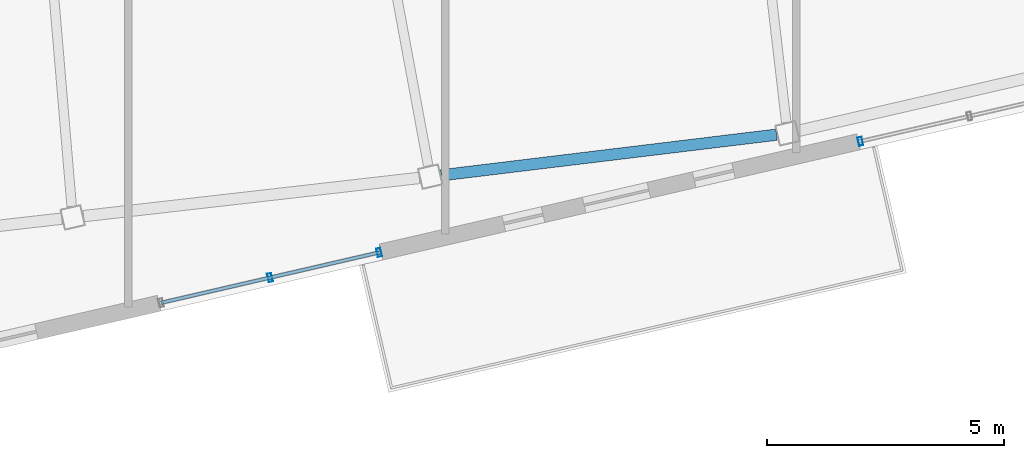
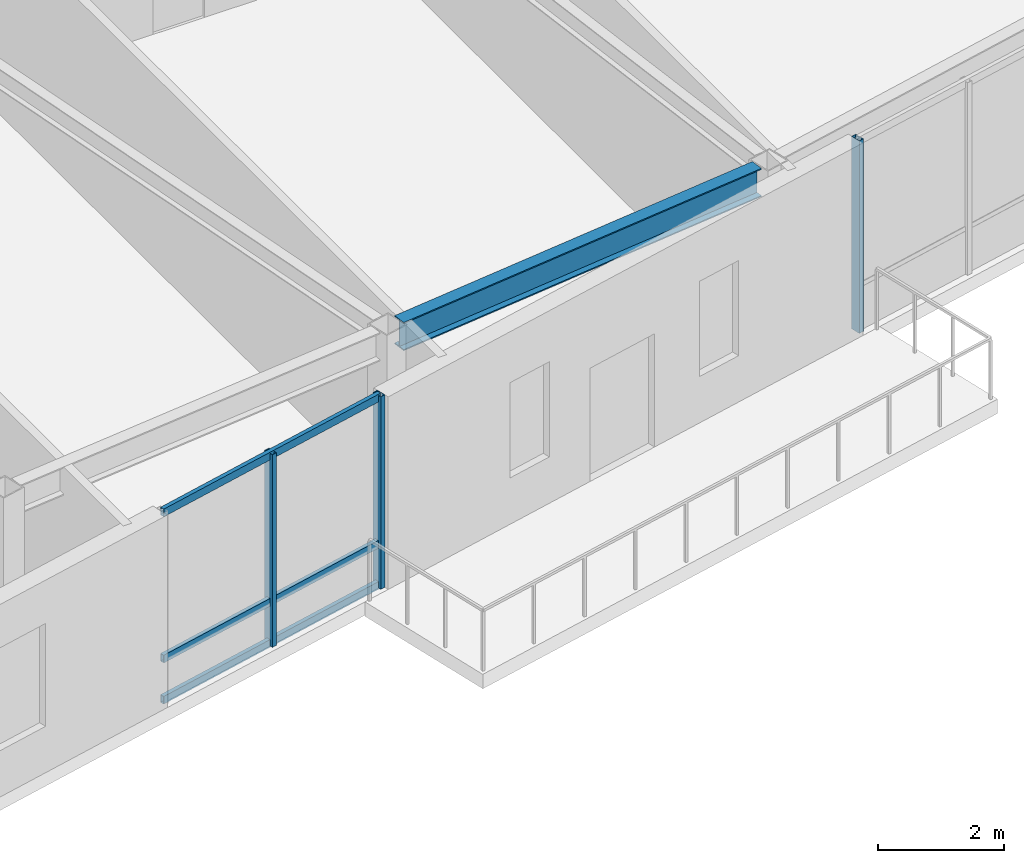
# One storey, part 7 of 24: 6 members, 1 beam, 2 elements without a shape of their own.
"""IFC4 building model written with IfcOpenShell, lengths in metres."""

from ifc_helpers import new_model, si_unit, direction, frame, origin, origin_2d, place, context, subcontext, project, spatial, hollow_rectangle, i_section, extrude, material, layer, layer_set, material_profile, profile_set, type_object, element, aggregate, save


model = new_model("IFC4")

# Units and contexts
model_context = context("Model", 3, precision=1e-05, world=origin(), true_north=direction((0.0, 1.0)))
body_context = subcontext(model_context, "Body", "Model", "MODEL_VIEW")
ifc_project = project(units=[si_unit("LENGTHUNIT", "METRE"), si_unit("AREAUNIT", "SQUARE_METRE"), si_unit("VOLUMEUNIT", "CUBIC_METRE"), si_unit("PLANEANGLEUNIT", "RADIAN"), si_unit("MASSUNIT", "GRAM", prefix="KILO")], contexts=[model_context])

# Site, building, storey
site_placement = place(None, origin())
site = spatial("IfcSite", under=ifc_project, at=site_placement, CompositionType="ELEMENT")
building_placement = place(site_placement, origin())
building = spatial("IfcBuilding", under=site, at=building_placement, Name="Tavrogorsk Clinical Tower", CompositionType="ELEMENT")
storey_placement = place(building_placement, frame((0.0, 0.0, 325.0)))
storey = spatial("IfcBuildingStorey", under=building, at=storey_placement, Name="L76", CompositionType="ELEMENT", Elevation=325.0)

# Curtain wall, members
ifc_material_1 = material(Name="Anodised aluminium and triple IGU glazing", Category="aluminium")
ifc_layer = layer(ifc_material_1, 0.179931640625)
ifc_layer_set = layer_set([ifc_layer], Name="Anodised aluminium and triple IGU glazing")
curtain_wall_type = type_object("IfcCurtainWallType", Name="CW3_SouthSlot", PredefinedType="NOTDEFINED", material=ifc_layer_set)
curtain_wall_1_placement = place(storey_placement, origin())
curtain_wall_1 = element("IfcCurtainWall", 1, at=curtain_wall_1_placement, inside=storey, type_object=curtain_wall_type, Name="L76 Curtain Wall CW-L76-S-SLOT-1", PredefinedType="NOTDEFINED")
ifc_material_2 = material(Name="Anodised aluminium alloy AW-6060", Category="aluminium")
ifc_material_profile_1 = material_profile(ifc_material_2, hollow_rectangle(XDim=0.090087890625, YDim=0.179931640625, WallThickness=0.00634765625, at=origin_2d()), Name="RHS-180x90x6.3")
ifc_profile_set_1 = profile_set([ifc_material_profile_1], Name="Anodised aluminium alloy AW-6060")
member_type_1 = type_object("IfcMemberType", Name="CwMullion_180x90", PredefinedType="MULLION", material=ifc_profile_set_1)
member_1_placement = place(storey_placement, frame((-4.633544921875, -25.438232421875, 0.0), z_axis=(0.0, 0.0, 1.0), x_axis=(0.974370057377, 0.224951086434, 0.0)))
member_1 = element("IfcMember", 2, at=member_1_placement, type_object=member_type_1, Name="CW-L76-S-SLOT-1 Mullion 2", PredefinedType="MULLION", context=body_context, shape_type="SweptSolid", body=[
    extrude(hollow_rectangle(XDim=0.090087890625, YDim=0.179931640625, WallThickness=0.00634765625, at=origin_2d()), origin(), (0.0, 0.0, 1.0), 3.739990234375),
])
member_2_placement = place(storey_placement, frame((-2.3349609375, -24.90771484375, 0.0), z_axis=(0.0, 0.0, 1.0), x_axis=(0.974370057377, 0.224951086434, 0.0)))
member_2 = element("IfcMember", 3, at=member_2_placement, type_object=member_type_1, Name="CW-L76-S-SLOT-1 Mullion 3", PredefinedType="MULLION", context=body_context, shape_type="SweptSolid", body=[
    extrude(hollow_rectangle(XDim=0.090087890625, YDim=0.179931640625, WallThickness=0.00634765625, at=origin_2d()), origin(), (0.0, 0.0, 1.0), 3.739990234375),
])

# Curtain wall, member
curtain_wall_2_placement = place(storey_placement, origin())
curtain_wall_2 = element("IfcCurtainWall", 4, at=curtain_wall_2_placement, inside=storey, type_object=curtain_wall_type, Name="L76 Curtain Wall CW-L76-S-SLOT-2", PredefinedType="NOTDEFINED")
member_3_placement = place(storey_placement, frame((7.80810546875, -22.56591796875, 0.0), z_axis=(0.0, 0.0, 1.0), x_axis=(0.974370057377, 0.224951086434, 0.0)))
member_3 = element("IfcMember", 5, at=member_3_placement, type_object=member_type_1, Name="CW-L76-S-SLOT-2 Mullion 1", PredefinedType="MULLION", context=body_context, shape_type="SweptSolid", body=[
    extrude(hollow_rectangle(XDim=0.090087890625, YDim=0.179931640625, WallThickness=0.00634765625, at=origin_2d()), origin(), (0.0, 0.0, 1.0), 3.739990234375),
])
aggregate(curtain_wall_2, [member_3])

# Member
ifc_material_3 = material(Name="Anodised aluminium alloy AW-6060", Category="aluminium")
ifc_material_profile_2 = material_profile(ifc_material_3, hollow_rectangle(XDim=0.074951171875, YDim=0.14990234375, WallThickness=0.0048828125, at=origin_2d()), Name="RHS-150x75x5")
ifc_profile_set_2 = profile_set([ifc_material_profile_2], Name="Anodised aluminium alloy AW-6060")
member_type_2 = type_object("IfcMemberType", Name="CwTransom_150x75", PredefinedType="USERDEFINED", material=ifc_profile_set_2)
member_4_placement = place(storey_placement, frame((-6.93212890625, -25.968994140625, 0.050048828125), z_axis=(0.974372877948, 0.22493886885, 0.0), x_axis=(-0.22493886885, 0.974372877948, 0.0)))
member_4 = element("IfcMember", 6, at=member_4_placement, type_object=member_type_2, Name="CW-L76-S-SLOT-1 Transom 1", ObjectType="TRANSOM", PredefinedType="USERDEFINED", context=body_context, shape_type="SweptSolid", body=[
    extrude(hollow_rectangle(XDim=0.074951171875, YDim=0.14990234375, WallThickness=0.0048828125, at=origin_2d()), origin(), (0.0, 0.0, 1.0), 4.718017578125),
])

member_5_placement = place(storey_placement, frame((-6.93212890625, -25.968994140625, 0.85009765625), z_axis=(0.974372877948, 0.22493886885, 0.0), x_axis=(-0.22493886885, 0.974372877948, 0.0)))
member_5 = element("IfcMember", 7, at=member_5_placement, type_object=member_type_2, Name="CW-L76-S-SLOT-1 Transom 2", ObjectType="TRANSOM", PredefinedType="USERDEFINED", context=body_context, shape_type="SweptSolid", body=[
    extrude(hollow_rectangle(XDim=0.074951171875, YDim=0.14990234375, WallThickness=0.0048828125, at=origin_2d()), origin(), (0.0, 0.0, 1.0), 4.718017578125),
])

member_6_placement = place(storey_placement, frame((-6.93212890625, -25.968994140625, 3.68994140625), z_axis=(0.974372877948, 0.22493886885, 0.0), x_axis=(-0.22493886885, 0.974372877948, 0.0)))
member_6 = element("IfcMember", 8, at=member_6_placement, type_object=member_type_2, Name="CW-L76-S-SLOT-1 Transom 3", ObjectType="TRANSOM", PredefinedType="USERDEFINED", context=body_context, shape_type="SweptSolid", body=[
    extrude(hollow_rectangle(XDim=0.074951171875, YDim=0.14990234375, WallThickness=0.0048828125, at=origin_2d()), origin(), (0.0, 0.0, 1.0), 4.718017578125),
])

aggregate(curtain_wall_1, [member_1, member_2, member_4, member_5, member_6])

# Beam
ifc_material_4 = material(Name="Structural steel S390", Category="steel")
ifc_material_profile_3 = material_profile(ifc_material_4, i_section(OverallWidth=0.239990234375, OverallDepth=0.550048828125, WebThickness=0.013916015625, FlangeThickness=0.02197265625, at=origin_2d()), Name="B-550x240x14x22")
ifc_profile_set_3 = profile_set([ifc_material_profile_3], Name="Structural steel S390")
beam_type = type_object("IfcBeamType", Name="SpandrelBeam_B550", PredefinedType="SPANDREL", material=ifc_profile_set_3)
beam_placement = place(storey_placement, frame((-1.026123046875, -23.28173828125, 3.465087890625), z_axis=(0.992733657897, 0.120332391639, 0.0), x_axis=(-0.120332391639, 0.992733657897, 0.0)))
element("IfcBeam", 9, at=beam_placement, inside=storey, type_object=beam_type, Name="L76 Perimeter Spandrel S4-S5", PredefinedType="SPANDREL", context=body_context, shape_type="SweptSolid", body=[
    extrude(i_section(OverallWidth=0.239990234375, OverallDepth=0.550048828125, WebThickness=0.013916015625, FlangeThickness=0.02197265625, at=origin_2d()), origin(), (0.0, 0.0, 1.0), 7.119384765625),
])

save(model, "model.ifc")
